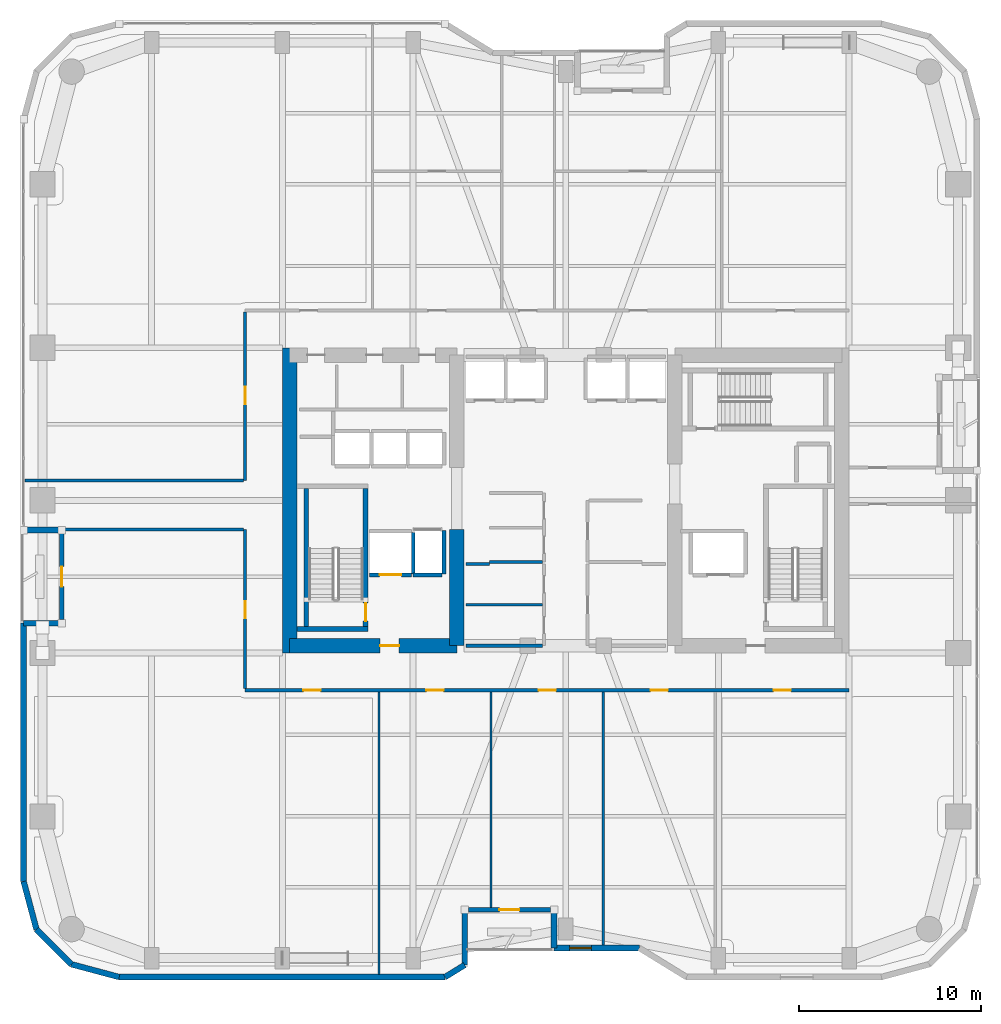
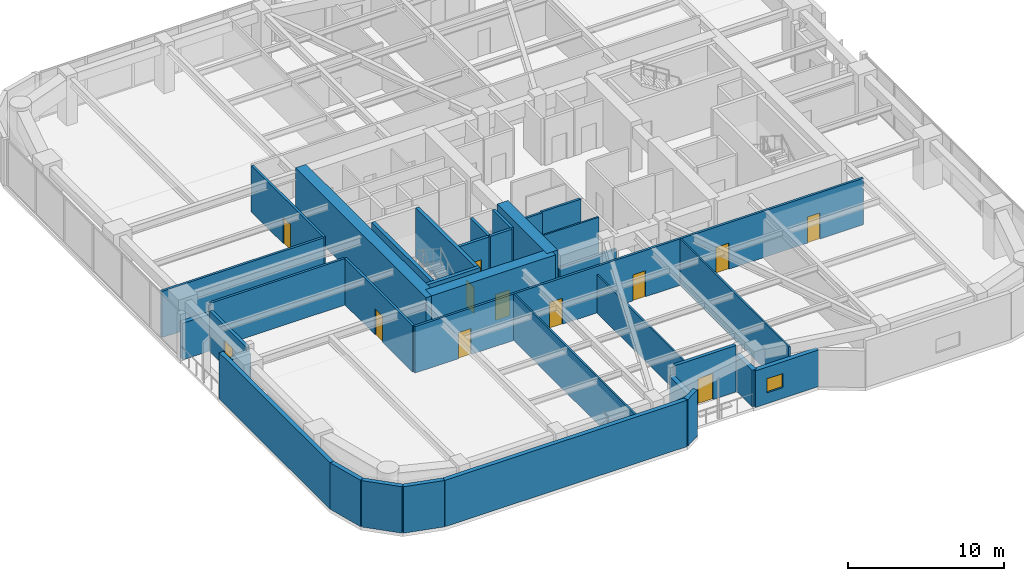
# One storey, part 18 of 24: 35 walls, 12 doors, 1 window, 13 openings.
"""IFC4 building model written with IfcOpenShell, lengths in metres."""

from ifc_helpers import new_model, si_unit, direction, frame, frame_2d, origin, place, context, subcontext, project, spatial, rectangle, extrude, material, layer, layer_set, type_object, element, fill, save


model = new_model("IFC4")

# Units and contexts
model_context = context("Model", 3, precision=1e-05, world=origin(), true_north=direction((0.0, 1.0)))
body_context = subcontext(model_context, "Body", "Model", "MODEL_VIEW")
ifc_project = project(units=[si_unit("LENGTHUNIT", "METRE"), si_unit("AREAUNIT", "SQUARE_METRE"), si_unit("VOLUMEUNIT", "CUBIC_METRE"), si_unit("PLANEANGLEUNIT", "RADIAN"), si_unit("MASSUNIT", "GRAM", prefix="KILO")], contexts=[model_context])

# Site, building, storey
site_placement = place(None, origin())
site = spatial("IfcSite", under=ifc_project, at=site_placement, CompositionType="ELEMENT")
building_placement = place(site_placement, origin())
building = spatial("IfcBuilding", under=site, at=building_placement, Name="Kiyonajd Concourse Tower", CompositionType="ELEMENT")
storey_placement = place(building_placement, frame((0.0, 0.0, 137.699951171875)))
storey = spatial("IfcBuildingStorey", under=building, at=storey_placement, Name="L35", CompositionType="ELEMENT", Elevation=137.699951171875)

# Walls
ifc_material_1 = material(Name="Concrete C70/85", Category="concrete")
ifc_layer_1 = layer(ifc_material_1, 0.800048828125)
ifc_layer_set_1 = layer_set([ifc_layer_1], Name="Concrete C70/85")
wall_type_1 = type_object("IfcWallType", Name="WL-CORE-800", PredefinedType="SHEAR", material=ifc_layer_set_1)
wall_1_placement = place(storey_placement, frame((32.800048828125, 27.60009765625, 0.0), z_axis=(0.0, 0.0, 1.0), x_axis=(0.0, 1.0, 0.0)))
element("IfcWall", 1, at=wall_1_placement, inside=storey, type_object=wall_type_1, Name="L35 West Core Outer Shear Wall", PredefinedType="SHEAR", context=body_context, shape_type="SweptSolid", body=[
    extrude(rectangle(XDim=16.7998046875, YDim=0.800048828125, at=frame_2d((8.39990234375, 0.0))), origin(), (0.0, 0.0, 1.0), 3.900146484375),
])
wall_2_placement = place(storey_placement, frame((42.0, 28.0, 0.0), z_axis=(0.0, 0.0, 1.0), x_axis=(0.0, 1.0, 0.0)))
element("IfcWall", 2, at=wall_2_placement, inside=storey, type_object=wall_type_1, Name="L35 West Core Inner South Shear Wall", PredefinedType="SHEAR", context=body_context, shape_type="SweptSolid", body=[
    extrude(rectangle(XDim=6.39990234375, YDim=0.800048828125, at=frame_2d((3.199951171875, 0.0))), origin(), (0.0, 0.0, 1.0), 3.900146484375),
])

# Wall, opening, door
wall_3_placement = place(storey_placement, frame((32.800048828125, 28.0, 0.0), z_axis=(0.0, 0.0, 1.0), x_axis=(1.0, 0.0, 0.0)))
wall_3 = element("IfcWall", 3, at=wall_3_placement, inside=storey, type_object=wall_type_1, Name="L35 West Core South Shear Wall", PredefinedType="SHEAR", context=body_context, shape_type="SweptSolid", body=[
    extrude(rectangle(XDim=9.199951171875, YDim=0.800048828125, at=frame_2d((4.60009765625, 0.0))), origin(), (0.0, 0.0, 1.0), 3.900146484375),
])
opening_1_placement = place(wall_3_placement, frame((4.97509765625, 0.0, 0.0)))
opening_1 = element("IfcOpeningElement", 4, at=opening_1_placement, cuts=wall_3, Name="Opening DF5", PredefinedType="OPENING", context=body_context, shape_type="SweptSolid", body=[
    extrude(rectangle(XDim=1.050048828125, YDim=2.0400390625, at=frame_2d((0.52490234375, 1.02001953125))), frame((0.0, 0.409912109375, 0.0), z_axis=(0.0, -1.0, 0.0), x_axis=(1.0, 0.0, 0.0)), (0.0, 0.0, 1.0), 0.820068359375),
])
ifc_material_2 = material(Name="Brushed Stainless Steel Cab Assembly", Category="steel")
door_type_1 = type_object("IfcDoorType", Name="DR-FD45-1050", OperationType="NOTDEFINED", PredefinedType="DOOR", material=ifc_material_2)
door_1_placement = place(opening_1_placement, origin())
door_1 = element("IfcDoor", 5, at=door_1_placement, inside=storey, type_object=door_type_1, Name="L35 Firefighting Lift Lobby W Smoke Door", OperationType="SINGLE_SWING_LEFT", OverallHeight=2.0400390625, OverallWidth=1.050048828125, PredefinedType="DOOR", context=body_context, shape_type="SweptSolid", body=[
    extrude(rectangle(XDim=1.050048828125, YDim=2.0400390625, at=frame_2d((0.52490234375, 1.02001953125))), frame((0.0, 0.02490234375, 0.0), z_axis=(0.0, -1.0, 0.0), x_axis=(1.0, 0.0, 0.0)), (0.0, 0.0, 1.0), 0.050048828125),
])
fill(opening_1, door_1)

# Walls
ifc_material_3 = material(Name="Precast concrete C50/60", Category="concrete")
ifc_layer_2 = layer(ifc_material_3, 0.320068359375)
ifc_layer_set_2 = layer_set([ifc_layer_2], Name="Precast concrete C50/60")
wall_type_2 = type_object("IfcWallType", Name="WL-EXT-320", PredefinedType="SOLIDWALL", material=ifc_layer_set_2)
wall_4_placement = place(storey_placement, frame((18.866455078125, 12.3828125, 0.0), z_axis=(0.0, 0.0, 1.0), x_axis=(-0.25869736047, 0.965958423373, 0.0)))
element("IfcWall", 6, at=wall_4_placement, inside=storey, type_object=wall_type_2, Name="L35 Exterior Concrete Frame Wall 00", PredefinedType="SOLIDWALL", context=body_context, shape_type="SweptSolid", body=[
    extrude(rectangle(XDim=2.731201171875, YDim=0.320068359375, at=frame_2d((1.36572265625, 0.0))), origin(), (0.0, 0.0, 1.0), 3.64013671875),
])
wall_5_placement = place(storey_placement, frame((18.159912109375, 15.02099609375, 0.0), z_axis=(0.0, 0.0, 1.0), x_axis=(0.0, 1.0, 0.0)))
element("IfcWall", 7, at=wall_5_placement, inside=storey, type_object=wall_type_2, Name="L35 Exterior Concrete Frame Wall 01", PredefinedType="SOLIDWALL", context=body_context, shape_type="SweptSolid", body=[
    extrude(rectangle(XDim=14.218994140625, YDim=0.320068359375, at=frame_2d((7.109375, 0.0))), origin(), (0.0, 0.0, 1.0), 3.64013671875),
])
for number, where, z_axis, x_axis, name in (
    (8, (18.159912109375, 29.239990234375, 0.0), (0.0, 0.0, 1.0), (1.0, 0.0, 0.0), "L35 Exterior Concrete Frame Wall 02"),
    (9, (20.260009765625, 34.360107421875, 0.0), (0.0, 0.0, 1.0), (-1.0, 0.0, 0.0), "L35 Exterior Concrete Frame Wall 04"),
):
    element("IfcWall", number, at=place(storey_placement, frame(where, z_axis=z_axis, x_axis=x_axis)), inside=storey, type_object=wall_type_2, Name=name, PredefinedType="SOLIDWALL", context=body_context, shape_type="SweptSolid", body=[
        extrude(rectangle(XDim=2.10009765625, YDim=0.320068359375, at=frame_2d((1.050048828125, 0.0))), origin(), (0.0, 0.0, 1.0), 2.875),
    ])

# Wall, opening, window
wall_6_placement = place(storey_placement, frame((52.04541015625, 11.360107421875, 0.0), z_axis=(0.0, 0.0, 1.0), x_axis=(-1.0, 0.0, 0.0)))
wall_6 = element("IfcWall", 10, at=wall_6_placement, inside=storey, type_object=wall_type_2, Name="L35 Exterior Concrete Frame Wall 30", PredefinedType="SOLIDWALL", context=body_context, shape_type="SweptSolid", body=[
    extrude(rectangle(XDim=4.685302734375, YDim=0.320068359375, at=frame_2d((2.3427734375, 0.0))), origin(), (0.0, 0.0, 1.0), 2.875),
])
opening_2_placement = place(wall_6_placement, frame((2.639892578125, 0.0, 0.85009765625)))
opening_2 = element("IfcOpeningElement", 11, at=opening_2_placement, cuts=wall_6, Name="Opening WN3", PredefinedType="OPENING", context=body_context, shape_type="SweptSolid", body=[
    extrude(rectangle(XDim=1.199951171875, YDim=1.10009765625, at=frame_2d((0.60009765625, 0.550048828125))), frame((0.0, 0.169921875, 0.0), z_axis=(0.0, -1.0, 0.0), x_axis=(1.0, 0.0, 0.0)), (0.0, 0.0, 1.0), 0.340087890625),
])
ifc_material_4 = material(Name="Double Low-E Insulated Glass", Category="glass")
window_type = type_object("IfcWindowType", Name="WN-VIS-1200x1100", PartitioningType="SINGLE_PANEL", PredefinedType="WINDOW", material=ifc_material_4)
window_placement = place(opening_2_placement, origin())
window = element("IfcWindow", 12, at=window_placement, inside=storey, type_object=window_type, Name="L35 Modular Facade Vision Window 30", OverallHeight=1.10009765625, OverallWidth=1.199951171875, PartitioningType="SINGLE_PANEL", PredefinedType="WINDOW", context=body_context, shape_type="SweptSolid", body=[
    extrude(rectangle(XDim=1.199951171875, YDim=1.10009765625, at=frame_2d((0.60009765625, 0.550048828125))), frame((0.0, 0.030029296875, 0.0), z_axis=(0.0, -1.0, 0.0), x_axis=(1.0, 0.0, 0.0)), (0.0, 0.0, 1.0), 0.06005859375),
])
fill(opening_2, window)

# Walls
wall_7_placement = place(storey_placement, frame((47.360107421875, 11.360107421875, 0.0), z_axis=(0.0, 0.0, 1.0), x_axis=(0.0, 1.0, 0.0)))
element("IfcWall", 13, at=wall_7_placement, inside=storey, type_object=wall_type_2, Name="L35 Exterior Concrete Frame Wall 31", PredefinedType="SOLIDWALL", context=body_context, shape_type="SweptSolid", body=[
    extrude(rectangle(XDim=2.099853515625, YDim=0.320068359375, at=frame_2d((1.0498046875, 0.0))), origin(), (0.0, 0.0, 1.0), 2.875),
])
wall_8_placement = place(storey_placement, frame((42.43994140625, 13.4599609375, 0.0), z_axis=(0.0, 0.0, 1.0), x_axis=(0.0, -1.0, 0.0)))
element("IfcWall", 14, at=wall_8_placement, inside=storey, type_object=wall_type_2, Name="L35 Exterior Concrete Frame Wall 33", PredefinedType="SOLIDWALL", context=body_context, shape_type="SweptSolid", body=[
    extrude(rectangle(XDim=3.032470703125, YDim=0.320068359375, at=frame_2d((1.51611328125, 0.0))), origin(), (0.0, 0.0, 1.0), 2.875),
])
wall_9_placement = place(storey_placement, frame((42.43994140625, 10.427490234375, 0.0), z_axis=(0.0, 0.0, 1.0), x_axis=(-0.851776724646, -0.523904964045, 0.0)))
element("IfcWall", 15, at=wall_9_placement, inside=storey, type_object=wall_type_2, Name="L35 Exterior Concrete Frame Wall 34", PredefinedType="SOLIDWALL", context=body_context, shape_type="SweptSolid", body=[
    extrude(rectangle(XDim=1.274169921875, YDim=0.320068359375, at=frame_2d((0.63720703125, 0.0))), origin(), (0.0, 0.0, 1.0), 3.64013671875),
])
wall_10_placement = place(storey_placement, frame((41.354736328125, 9.760009765625, 0.0), z_axis=(0.0, 0.0, 1.0), x_axis=(-1.0, 0.0, 0.0)))
element("IfcWall", 16, at=wall_10_placement, inside=storey, type_object=wall_type_2, Name="L35 Exterior Concrete Frame Wall 35", PredefinedType="SOLIDWALL", context=body_context, shape_type="SweptSolid", body=[
    extrude(rectangle(XDim=17.93359375, YDim=0.320068359375, at=frame_2d((8.966796875, 0.0))), origin(), (0.0, 0.0, 1.0), 3.64013671875),
])
wall_11_placement = place(storey_placement, frame((23.421142578125, 9.760009765625, 0.0), z_axis=(0.0, 0.0, 1.0), x_axis=(-0.965964405026, 0.25867502435, 0.0)))
element("IfcWall", 17, at=wall_11_placement, inside=storey, type_object=wall_type_2, Name="L35 Exterior Concrete Frame Wall 36", PredefinedType="SOLIDWALL", context=body_context, shape_type="SweptSolid", body=[
    extrude(rectangle(XDim=2.7314453125, YDim=0.320068359375, at=frame_2d((1.36572265625, 0.0))), origin(), (0.0, 0.0, 1.0), 3.64013671875),
])
wall_12_placement = place(storey_placement, frame((20.78271484375, 10.466552734375, 0.0), z_axis=(0.0, 0.0, 1.0), x_axis=(-0.707106781187, 0.707106781187, 0.0)))
element("IfcWall", 18, at=wall_12_placement, inside=storey, type_object=wall_type_2, Name="L35 Exterior Concrete Frame Wall 37", PredefinedType="SOLIDWALL", context=body_context, shape_type="SweptSolid", body=[
    extrude(rectangle(XDim=2.7099609375, YDim=0.320068359375, at=frame_2d((1.35498046875, 0.0))), origin(), (0.0, 0.0, 1.0), 3.64013671875),
])

# Wall, opening, door
ifc_layer_3 = layer(ifc_material_3, 0.239990234375)
ifc_layer_set_3 = layer_set([ifc_layer_3], Name="Precast concrete C50/60")
wall_type_3 = type_object("IfcWallType", Name="WL-LOG-240", PredefinedType="SOLIDWALL", material=ifc_layer_set_3)
wall_13_placement = place(storey_placement, frame((20.260009765625, 29.43505859375, 0.0), z_axis=(0.0, 0.0, 1.0), x_axis=(0.0, 1.0, 0.0)))
wall_13 = element("IfcWall", 19, at=wall_13_placement, inside=storey, type_object=wall_type_3, Name="L35 Recessed Loggia Thermal Wall LOG-W", PredefinedType="SOLIDWALL", context=body_context, shape_type="SweptSolid", body=[
    extrude(rectangle(XDim=4.72998046875, YDim=0.239990234375, at=frame_2d((2.364990234375, 0.0))), origin(), (0.0, 0.0, 1.0), 3.162109375),
])
opening_3_placement = place(wall_13_placement, frame((1.81494140625, 0.0, 0.0)))
opening_3 = element("IfcOpeningElement", 20, at=opening_3_placement, cuts=wall_13, Name="Opening DL2", PredefinedType="OPENING", context=body_context, shape_type="SweptSolid", body=[
    extrude(rectangle(XDim=1.10009765625, YDim=2.0400390625, at=frame_2d((0.550048828125, 1.02001953125))), frame((0.0, 0.1298828125, 0.0), z_axis=(0.0, -1.0, 0.0), x_axis=(1.0, 0.0, 0.0)), (0.0, 0.0, 1.0), 0.260009765625),
])
ifc_material_5 = material(Name="Thermally Broken Anodised Aluminium", Category="aluminium")
door_type_2 = type_object("IfcDoorType", Name="DR-LOG-1100", OperationType="NOTDEFINED", PredefinedType="DOOR", material=ifc_material_5)
door_2_placement = place(opening_3_placement, origin())
door_2 = element("IfcDoor", 21, at=door_2_placement, inside=storey, type_object=door_type_2, Name="L35 Engawa Loggia Access Door LOG-W", OperationType="SINGLE_SWING_LEFT", OverallHeight=2.0400390625, OverallWidth=1.10009765625, PredefinedType="DOOR", context=body_context, shape_type="SweptSolid", body=[
    extrude(rectangle(XDim=1.10009765625, YDim=2.0400390625, at=frame_2d((0.550048828125, 1.02001953125))), frame((0.0, 0.02490234375, 0.0), z_axis=(0.0, -1.0, 0.0), x_axis=(1.0, 0.0, 0.0)), (0.0, 0.0, 1.0), 0.050048828125),
])
fill(opening_3, door_2)

wall_14_placement = place(storey_placement, frame((47.1650390625, 13.4599609375, 0.0), z_axis=(0.0, 0.0, 1.0), x_axis=(-1.0, 0.0, 0.0)))
wall_14 = element("IfcWall", 22, at=wall_14_placement, inside=storey, type_object=wall_type_3, Name="L35 Recessed Loggia Thermal Wall LOG-S", PredefinedType="SOLIDWALL", context=body_context, shape_type="SweptSolid", body=[
    extrude(rectangle(XDim=4.530029296875, YDim=0.239990234375, at=frame_2d((2.26513671875, 0.0))), origin(), (0.0, 0.0, 1.0), 3.64013671875),
])
opening_4_placement = place(wall_14_placement, frame((1.715087890625, 0.0, 0.0)))
opening_4 = element("IfcOpeningElement", 23, at=opening_4_placement, cuts=wall_14, Name="Opening DL2", PredefinedType="OPENING", context=body_context, shape_type="SweptSolid", body=[
    extrude(rectangle(XDim=1.10009765625, YDim=2.0400390625, at=frame_2d((0.550048828125, 1.02001953125))), frame((0.0, 0.1298828125, 0.0), z_axis=(0.0, -1.0, 0.0), x_axis=(1.0, 0.0, 0.0)), (0.0, 0.0, 1.0), 0.260009765625),
])
door_3_placement = place(opening_4_placement, origin())
door_3 = element("IfcDoor", 24, at=door_3_placement, inside=storey, type_object=door_type_2, Name="L35 Engawa Loggia Access Door LOG-S", OperationType="SINGLE_SWING_RIGHT", OverallHeight=2.0400390625, OverallWidth=1.10009765625, PredefinedType="DOOR", context=body_context, shape_type="SweptSolid", body=[
    extrude(rectangle(XDim=1.10009765625, YDim=2.0400390625, at=frame_2d((0.550048828125, 1.02001953125))), frame((0.0, 0.02490234375, 0.0), z_axis=(0.0, -1.0, 0.0), x_axis=(1.0, 0.0, 0.0)), (0.0, 0.0, 1.0), 0.050048828125),
])
fill(opening_4, door_3)

# Walls
ifc_material_6 = material(Name="Gypsum Board on Cold-Formed Steel Stud", Category="steel")
ifc_layer_4 = layer(ifc_material_6, 0.125)
ifc_layer_set_4 = layer_set([ifc_layer_4], Name="Gypsum Board on Cold-Formed Steel Stud")
wall_type_4 = type_object("IfcWallType", Name="WL-PART-125", PredefinedType="PARTITIONING", material=ifc_layer_set_4)
wall_15_placement = place(storey_placement, frame((42.5, 30.25, 0.0), z_axis=(0.0, 0.0, 1.0), x_axis=(1.0, 0.0, 0.0)))
element("IfcWall", 25, at=wall_15_placement, inside=storey, type_object=wall_type_4, Name="L35 Interior Partition Wall", PredefinedType="PARTITIONING", context=body_context, shape_type="SweptSolid", body=[
    extrude(rectangle(XDim=4.212890625, YDim=0.125, at=frame_2d((2.1064453125, 0.0))), origin(), (0.0, 0.0, 1.0), 3.64013671875),
])
wall_16_placement = place(storey_placement, frame((37.719970703125, 9.9150390625, 0.0), z_axis=(0.0, 0.0, 1.0), x_axis=(0.0, 1.0, 0.0)))
element("IfcWall", 26, at=wall_16_placement, inside=storey, type_object=wall_type_4, Name="L35 Interior Partition Wall", PredefinedType="PARTITIONING", context=body_context, shape_type="SweptSolid", body=[
    extrude(rectangle(XDim=15.5478515625, YDim=0.125, at=frame_2d((7.77392578125, 0.0))), origin(), (0.0, 0.0, 1.0), 3.64013671875),
])
wall_17_placement = place(storey_placement, frame((43.889892578125, 13.574951171875, 0.0), z_axis=(0.0, 0.0, 1.0), x_axis=(0.0, 1.0, 0.0)))
element("IfcWall", 27, at=wall_17_placement, inside=storey, type_object=wall_type_4, Name="L35 Interior Partition Wall", PredefinedType="PARTITIONING", context=body_context, shape_type="SweptSolid", body=[
    extrude(rectangle(XDim=11.887939453125, YDim=0.125, at=frame_2d((5.94384765625, 0.0))), origin(), (0.0, 0.0, 1.0), 3.0029296875),
])
wall_18_placement = place(storey_placement, frame((50.06005859375, 11.514892578125, 0.0), z_axis=(0.0, 0.0, 1.0), x_axis=(0.0, 1.0, 0.0)))
element("IfcWall", 28, at=wall_18_placement, inside=storey, type_object=wall_type_4, Name="L35 Interior Partition Wall", PredefinedType="PARTITIONING", context=body_context, shape_type="SweptSolid", body=[
    extrude(rectangle(XDim=13.947998046875, YDim=0.125, at=frame_2d((6.97412109375, 0.0))), origin(), (0.0, 0.0, 1.0), 3.64013671875),
])

# Wall, opening, door
ifc_layer_5 = layer(ifc_material_6, 0.2099609375)
ifc_layer_set_5 = layer_set([ifc_layer_5], Name="Gypsum Board on Cold-Formed Steel Stud")
wall_type_5 = type_object("IfcWallType", Name="WL-SHAFT-210", PredefinedType="PARTITIONING", material=ifc_layer_set_5)
wall_19_placement = place(storey_placement, frame((37.199951171875, 31.89990234375, 0.0), z_axis=(0.0, 0.0, 1.0), x_axis=(1.0, 0.0, 0.0)))
wall_19 = element("IfcWall", 29, at=wall_19_placement, inside=storey, type_object=wall_type_5, Name="L35 Shaft Enclosure Wall", PredefinedType="PARTITIONING", context=body_context, shape_type="SweptSolid", body=[
    extrude(rectangle(XDim=2.300048828125, YDim=0.2099609375, at=frame_2d((1.14990234375, 0.0))), origin(), (0.0, 0.0, 1.0), 3.64013671875),
])
opening_5_placement = place(wall_19_placement, frame((0.550048828125, 0.0, 0.0)))
opening_5 = element("IfcOpeningElement", 30, at=opening_5_placement, cuts=wall_19, Name="Opening LD2", PredefinedType="OPENING", context=body_context, shape_type="SweptSolid", body=[
    extrude(rectangle(XDim=1.199951171875, YDim=2.0400390625, at=frame_2d((0.60009765625, 1.02001953125))), frame((0.0, 0.114990234375, 0.0), z_axis=(0.0, -1.0, 0.0), x_axis=(1.0, 0.0, 0.0)), (0.0, 0.0, 1.0), 0.22998046875),
])
door_type_3 = type_object("IfcDoorType", Name="DR-LD-1200", OperationType="DOUBLE_DOOR_SLIDING", PredefinedType="DOOR", material=ifc_material_2)
door_4_placement = place(opening_5_placement, origin())
door_4 = element("IfcDoor", 31, at=door_4_placement, inside=storey, type_object=door_type_3, Name="L35 Lift FFL1 Sliding Landing Door", OperationType="DOUBLE_DOOR_SLIDING", OverallHeight=2.0400390625, OverallWidth=1.199951171875, PredefinedType="DOOR", context=body_context, shape_type="SweptSolid", body=[
    extrude(rectangle(XDim=1.199951171875, YDim=2.0400390625, at=frame_2d((0.60009765625, 1.02001953125))), frame((0.0, 0.02490234375, 0.0), z_axis=(0.0, -1.0, 0.0), x_axis=(1.0, 0.0, 0.0)), (0.0, 0.0, 1.0), 0.050048828125),
])
fill(opening_5, door_4)

# Walls
wall_20_placement = place(storey_placement, frame((39.60009765625, 31.9599609375, 0.0), z_axis=(0.0, 0.0, 1.0), x_axis=(0.0, 1.0, 0.0)))
element("IfcWall", 32, at=wall_20_placement, inside=storey, type_object=wall_type_5, Name="L35 Shaft Enclosure Wall", PredefinedType="PARTITIONING", context=body_context, shape_type="SweptSolid", body=[
    extrude(rectangle(XDim=2.280029296875, YDim=0.2099609375, at=frame_2d((1.14013671875, 0.0))), origin(), (0.0, 0.0, 1.0), 3.64013671875),
])
wall_21_placement = place(storey_placement, frame((39.60009765625, 31.89990234375, 0.0), z_axis=(0.0, 0.0, 1.0), x_axis=(1.0, 0.0, 0.0)))
element("IfcWall", 33, at=wall_21_placement, inside=storey, type_object=wall_type_5, Name="L35 Shaft Enclosure Wall", PredefinedType="PARTITIONING", context=body_context, shape_type="SweptSolid", body=[
    extrude(rectangle(XDim=1.599853515625, YDim=0.2099609375, at=frame_2d((0.7998046875, 0.0))), origin(), (0.0, 0.0, 1.0), 3.64013671875),
])
wall_22_placement = place(storey_placement, frame((41.300048828125, 31.9599609375, 0.0), z_axis=(0.0, 0.0, 1.0), x_axis=(0.0, 1.0, 0.0)))
element("IfcWall", 34, at=wall_22_placement, inside=storey, type_object=wall_type_5, Name="L35 Shaft Enclosure Wall", PredefinedType="PARTITIONING", context=body_context, shape_type="SweptSolid", body=[
    extrude(rectangle(XDim=2.380126953125, YDim=0.2099609375, at=frame_2d((1.18994140625, 0.0))), origin(), (0.0, 0.0, 1.0), 3.64013671875),
])
ifc_layer_6 = layer(ifc_material_6, 0.169921875)
ifc_layer_set_6 = layer_set([ifc_layer_6], Name="Gypsum Board on Cold-Formed Steel Stud")
wall_type_6 = type_object("IfcWallType", Name="WL-SMK-170", PredefinedType="PARTITIONING", material=ifc_layer_set_6)
wall_23_placement = place(storey_placement, frame((43.800048828125, 32.60009765625, 0.0), z_axis=(0.0, 0.0, 1.0), x_axis=(1.0, 0.0, 0.0)))
element("IfcWall", 35, at=wall_23_placement, inside=storey, type_object=wall_type_6, Name="L35 Interior Partition Wall", PredefinedType="PARTITIONING", context=body_context, shape_type="SweptSolid", body=[
    extrude(rectangle(XDim=2.912841796875, YDim=0.169921875, at=frame_2d((1.45654296875, 0.0))), origin(), (0.0, 0.0, 1.0), 3.64013671875),
])
wall_24_placement = place(storey_placement, frame((42.5, 28.0, 0.0), z_axis=(0.0, 0.0, 1.0), x_axis=(1.0, 0.0, 0.0)))
element("IfcWall", 36, at=wall_24_placement, inside=storey, type_object=wall_type_6, Name="L35 Interior Partition Wall", PredefinedType="PARTITIONING", context=body_context, shape_type="SweptSolid", body=[
    extrude(rectangle(XDim=4.212890625, YDim=0.169921875, at=frame_2d((2.1064453125, 0.0))), origin(), (0.0, 0.0, 1.0), 2.525146484375),
])
wall_25_placement = place(storey_placement, frame((42.5, 32.5, 0.0), z_axis=(0.0, 0.0, 1.0), x_axis=(1.0, 0.0, 0.0)))
element("IfcWall", 37, at=wall_25_placement, inside=storey, type_object=wall_type_6, Name="L35 Interior Partition Wall", PredefinedType="PARTITIONING", context=body_context, shape_type="SweptSolid", body=[
    extrude(rectangle(XDim=1.300048828125, YDim=0.169921875, at=frame_2d((0.64990234375, 0.0))), origin(), (0.0, 0.0, 1.0), 3.64013671875),
])

# Wall, openings, doors
wall_26_placement = place(storey_placement, frame((30.35009765625, 25.550048828125, 0.0), z_axis=(0.0, 0.0, 1.0), x_axis=(1.0, 0.0, 0.0)))
wall_26 = element("IfcWall", 38, at=wall_26_placement, inside=storey, type_object=wall_type_6, Name="L35 Interior Partition Wall", PredefinedType="PARTITIONING", context=body_context, shape_type="SweptSolid", body=[
    extrude(rectangle(XDim=33.25, YDim=0.169921875, at=frame_2d((16.625, 0.0))), origin(), (0.0, 0.0, 1.0), 3.64013671875),
])
opening_6_placement = place(wall_26_placement, frame((3.2099609375, 0.0, 0.0)))
opening_6 = element("IfcOpeningElement", 39, at=opening_6_placement, cuts=wall_26, Name="Opening DI1", PredefinedType="OPENING", context=body_context, shape_type="SweptSolid", body=[
    extrude(rectangle(XDim=0.949951171875, YDim=2.0400390625, at=frame_2d((0.47509765625, 1.02001953125))), frame((0.0, 0.094970703125, 0.0), z_axis=(0.0, -1.0, 0.0), x_axis=(1.0, 0.0, 0.0)), (0.0, 0.0, 1.0), 0.18994140625),
])
opening_7_placement = place(wall_26_placement, frame((9.97998046875, 0.0, 0.0)))
opening_7 = element("IfcOpeningElement", 40, at=opening_7_placement, cuts=wall_26, Name="Opening DI1", PredefinedType="OPENING", context=body_context, shape_type="SweptSolid", body=[
    extrude(rectangle(XDim=0.949951171875, YDim=2.0400390625, at=frame_2d((0.47509765625, 1.02001953125))), frame((0.0, 0.094970703125, 0.0), z_axis=(0.0, -1.0, 0.0), x_axis=(1.0, 0.0, 0.0)), (0.0, 0.0, 1.0), 0.18994140625),
])
opening_8_placement = place(wall_26_placement, frame((16.14990234375, 0.0, 0.0)))
opening_8 = element("IfcOpeningElement", 41, at=opening_8_placement, cuts=wall_26, Name="Opening DI1", PredefinedType="OPENING", context=body_context, shape_type="SweptSolid", body=[
    extrude(rectangle(XDim=0.949951171875, YDim=2.0400390625, at=frame_2d((0.47509765625, 1.02001953125))), frame((0.0, 0.094970703125, 0.0), z_axis=(0.0, -1.0, 0.0), x_axis=(1.0, 0.0, 0.0)), (0.0, 0.0, 1.0), 0.18994140625),
])
opening_9_placement = place(wall_26_placement, frame((22.320068359375, 0.0, 0.0)))
opening_9 = element("IfcOpeningElement", 42, at=opening_9_placement, cuts=wall_26, Name="Opening DI1", PredefinedType="OPENING", context=body_context, shape_type="SweptSolid", body=[
    extrude(rectangle(XDim=0.949951171875, YDim=2.0400390625, at=frame_2d((0.47509765625, 1.02001953125))), frame((0.0, 0.094970703125, 0.0), z_axis=(0.0, -1.0, 0.0), x_axis=(1.0, 0.0, 0.0)), (0.0, 0.0, 1.0), 0.18994140625),
])
opening_10_placement = place(wall_26_placement, frame((29.090087890625, 0.0, 0.0)))
opening_10 = element("IfcOpeningElement", 43, at=opening_10_placement, cuts=wall_26, Name="Opening DI1", PredefinedType="OPENING", context=body_context, shape_type="SweptSolid", body=[
    extrude(rectangle(XDim=0.949951171875, YDim=2.0400390625, at=frame_2d((0.47509765625, 1.02001953125))), frame((0.0, 0.094970703125, 0.0), z_axis=(0.0, -1.0, 0.0), x_axis=(1.0, 0.0, 0.0)), (0.0, 0.0, 1.0), 0.18994140625),
])
ifc_material_7 = material(Name="Natural Oak Acoustic Timber Veneer", Category="wood")
door_type_4 = type_object("IfcDoorType", Name="DR-INT-950", OperationType="NOTDEFINED", PredefinedType="DOOR", material=ifc_material_7)
door_5_placement = place(opening_6_placement, origin())
door_5 = element("IfcDoor", 44, at=door_5_placement, inside=storey, type_object=door_type_4, Name="L35 Interior Door", OperationType="SINGLE_SWING_RIGHT", OverallHeight=2.0400390625, OverallWidth=0.949951171875, PredefinedType="DOOR", context=body_context, shape_type="SweptSolid", body=[
    extrude(rectangle(XDim=0.949951171875, YDim=2.0400390625, at=frame_2d((0.47509765625, 1.02001953125))), frame((0.0, 0.02490234375, 0.0), z_axis=(0.0, -1.0, 0.0), x_axis=(1.0, 0.0, 0.0)), (0.0, 0.0, 1.0), 0.050048828125),
])
fill(opening_6, door_5)
door_6_placement = place(opening_7_placement, origin())
door_6 = element("IfcDoor", 45, at=door_6_placement, inside=storey, type_object=door_type_4, Name="L35 Interior Door", OperationType="SINGLE_SWING_LEFT", OverallHeight=2.0400390625, OverallWidth=0.949951171875, PredefinedType="DOOR", context=body_context, shape_type="SweptSolid", body=[
    extrude(rectangle(XDim=0.949951171875, YDim=2.0400390625, at=frame_2d((0.47509765625, 1.02001953125))), frame((0.0, 0.02490234375, 0.0), z_axis=(0.0, -1.0, 0.0), x_axis=(1.0, 0.0, 0.0)), (0.0, 0.0, 1.0), 0.050048828125),
])
fill(opening_7, door_6)
door_7_placement = place(opening_8_placement, origin())
door_7 = element("IfcDoor", 46, at=door_7_placement, inside=storey, type_object=door_type_4, Name="L35 Interior Door", OperationType="SINGLE_SWING_RIGHT", OverallHeight=2.0400390625, OverallWidth=0.949951171875, PredefinedType="DOOR", context=body_context, shape_type="SweptSolid", body=[
    extrude(rectangle(XDim=0.949951171875, YDim=2.0400390625, at=frame_2d((0.47509765625, 1.02001953125))), frame((0.0, 0.02490234375, 0.0), z_axis=(0.0, -1.0, 0.0), x_axis=(1.0, 0.0, 0.0)), (0.0, 0.0, 1.0), 0.050048828125),
])
fill(opening_8, door_7)
door_8_placement = place(opening_9_placement, origin())
door_8 = element("IfcDoor", 47, at=door_8_placement, inside=storey, type_object=door_type_4, Name="L35 Interior Door", OperationType="SINGLE_SWING_LEFT", OverallHeight=2.0400390625, OverallWidth=0.949951171875, PredefinedType="DOOR", context=body_context, shape_type="SweptSolid", body=[
    extrude(rectangle(XDim=0.949951171875, YDim=2.0400390625, at=frame_2d((0.47509765625, 1.02001953125))), frame((0.0, 0.02490234375, 0.0), z_axis=(0.0, -1.0, 0.0), x_axis=(1.0, 0.0, 0.0)), (0.0, 0.0, 1.0), 0.050048828125),
])
fill(opening_9, door_8)
door_9_placement = place(opening_10_placement, origin())
door_9 = element("IfcDoor", 48, at=door_9_placement, inside=storey, type_object=door_type_4, Name="L35 Interior Door", OperationType="SINGLE_SWING_RIGHT", OverallHeight=2.0400390625, OverallWidth=0.949951171875, PredefinedType="DOOR", context=body_context, shape_type="SweptSolid", body=[
    extrude(rectangle(XDim=0.949951171875, YDim=2.0400390625, at=frame_2d((0.47509765625, 1.02001953125))), frame((0.0, 0.02490234375, 0.0), z_axis=(0.0, -1.0, 0.0), x_axis=(1.0, 0.0, 0.0)), (0.0, 0.0, 1.0), 0.050048828125),
])
fill(opening_10, door_9)

# Wall, opening, door
wall_27_placement = place(storey_placement, frame((30.35009765625, 25.636962890625, 0.0), z_axis=(0.0, 0.0, 1.0), x_axis=(0.0, 1.0, 0.0)))
wall_27 = element("IfcWall", 49, at=wall_27_placement, inside=storey, type_object=wall_type_6, Name="L35 Interior Partition Wall", PredefinedType="PARTITIONING", context=body_context, shape_type="SweptSolid", body=[
    extrude(rectangle(XDim=8.762939453125, YDim=0.169921875, at=frame_2d((4.38134765625, 0.0))), origin(), (0.0, 0.0, 1.0), 3.64013671875),
])
opening_11_placement = place(wall_27_placement, frame((3.863037109375, 0.0, 0.0)))
opening_11 = element("IfcOpeningElement", 50, at=opening_11_placement, cuts=wall_27, Name="Opening DI1", PredefinedType="OPENING", context=body_context, shape_type="SweptSolid", body=[
    extrude(rectangle(XDim=0.949951171875, YDim=2.0400390625, at=frame_2d((0.47509765625, 1.02001953125))), frame((0.0, 0.094970703125, 0.0), z_axis=(0.0, -1.0, 0.0), x_axis=(1.0, 0.0, 0.0)), (0.0, 0.0, 1.0), 0.18994140625),
])
door_10_placement = place(opening_11_placement, origin())
door_10 = element("IfcDoor", 51, at=door_10_placement, inside=storey, type_object=door_type_4, Name="L35 Interior Door", OperationType="SINGLE_SWING_RIGHT", OverallHeight=2.0400390625, OverallWidth=0.949951171875, PredefinedType="DOOR", context=body_context, shape_type="SweptSolid", body=[
    extrude(rectangle(XDim=0.949951171875, YDim=2.0400390625, at=frame_2d((0.47509765625, 1.02001953125))), frame((0.0, 0.02490234375, 0.0), z_axis=(0.0, -1.0, 0.0), x_axis=(1.0, 0.0, 0.0)), (0.0, 0.0, 1.0), 0.050048828125),
])
fill(opening_11, door_10)

wall_28_placement = place(storey_placement, frame((30.35009765625, 37.10009765625, 0.0), z_axis=(0.0, 0.0, 1.0), x_axis=(0.0, 1.0, 0.0)))
wall_28 = element("IfcWall", 52, at=wall_28_placement, inside=storey, type_object=wall_type_6, Name="L35 Interior Partition Wall", PredefinedType="PARTITIONING", context=body_context, shape_type="SweptSolid", body=[
    extrude(rectangle(XDim=9.262939453125, YDim=0.169921875, at=frame_2d((4.63134765625, 0.0))), origin(), (0.0, 0.0, 1.0), 3.64013671875),
])
opening_12_placement = place(wall_28_placement, frame((4.199951171875, 0.0, 0.0)))
opening_12 = element("IfcOpeningElement", 53, at=opening_12_placement, cuts=wall_28, Name="Opening DI1", PredefinedType="OPENING", context=body_context, shape_type="SweptSolid", body=[
    extrude(rectangle(XDim=0.949951171875, YDim=2.0400390625, at=frame_2d((0.47509765625, 1.02001953125))), frame((0.0, 0.094970703125, 0.0), z_axis=(0.0, -1.0, 0.0), x_axis=(1.0, 0.0, 0.0)), (0.0, 0.0, 1.0), 0.18994140625),
])
door_11_placement = place(opening_12_placement, origin())
door_11 = element("IfcDoor", 54, at=door_11_placement, inside=storey, type_object=door_type_4, Name="L35 Interior Door", OperationType="SINGLE_SWING_LEFT", OverallHeight=2.0400390625, OverallWidth=0.949951171875, PredefinedType="DOOR", context=body_context, shape_type="SweptSolid", body=[
    extrude(rectangle(XDim=0.949951171875, YDim=2.0400390625, at=frame_2d((0.47509765625, 1.02001953125))), frame((0.0, 0.02490234375, 0.0), z_axis=(0.0, -1.0, 0.0), x_axis=(1.0, 0.0, 0.0)), (0.0, 0.0, 1.0), 0.050048828125),
])
fill(opening_12, door_11)

# Walls
wall_29_placement = place(storey_placement, frame((20.260009765625, 34.39990234375, 0.0), z_axis=(0.0, 0.0, 1.0), x_axis=(1.0, 0.0, 0.0)))
element("IfcWall", 55, at=wall_29_placement, inside=storey, type_object=wall_type_6, Name="L35 Interior Partition Wall", PredefinedType="PARTITIONING", context=body_context, shape_type="SweptSolid", body=[
    extrude(rectangle(XDim=10.0029296875, YDim=0.169921875, at=frame_2d((5.00146484375, 0.0))), origin(), (0.0, 0.0, 1.0), 3.64013671875),
])
wall_30_placement = place(storey_placement, frame((18.2451171875, 37.10009765625, 0.0), z_axis=(0.0, 0.0, 1.0), x_axis=(1.0, 0.0, 0.0)))
element("IfcWall", 56, at=wall_30_placement, inside=storey, type_object=wall_type_6, Name="L35 Interior Partition Wall", PredefinedType="PARTITIONING", context=body_context, shape_type="SweptSolid", body=[
    extrude(rectangle(XDim=12.017822265625, YDim=0.169921875, at=frame_2d((6.0087890625, 0.0))), origin(), (0.0, 0.0, 1.0), 3.64013671875),
])
ifc_material_8 = material(Name="Concrete C50/60", Category="concrete")
ifc_layer_7 = layer(ifc_material_8, 0.260009765625)
ifc_layer_set_7 = layer_set([ifc_layer_7], Name="Concrete C50/60")
wall_type_7 = type_object("IfcWallType", Name="WL-STAIR-260", PredefinedType="SHEAR", material=ifc_layer_set_7)
wall_31_placement = place(storey_placement, frame((33.199951171875, 28.919921875, 0.0), z_axis=(0.0, 0.0, 1.0), x_axis=(1.0, 0.0, 0.0)))
element("IfcWall", 57, at=wall_31_placement, inside=storey, type_object=wall_type_7, Name="L35 Stair ST1 Structural South Wall", PredefinedType="SHEAR", context=body_context, shape_type="SweptSolid", body=[
    extrude(rectangle(XDim=3.91015625, YDim=0.260009765625, at=frame_2d((1.955078125, 0.0))), origin(), (0.0, 0.0, 1.0), 3.900146484375),
])
wall_32_placement = place(storey_placement, frame((33.719970703125, 29.050048828125, 0.0), z_axis=(0.0, 0.0, 1.0), x_axis=(0.0, 1.0, 0.0)))
element("IfcWall", 58, at=wall_32_placement, inside=storey, type_object=wall_type_7, Name="L35 Stair ST1 Structural West Wall", PredefinedType="SHEAR", context=body_context, shape_type="SweptSolid", body=[
    extrude(rectangle(XDim=7.599853515625, YDim=0.260009765625, at=frame_2d((3.7998046875, 0.0))), origin(), (0.0, 0.0, 1.0), 3.900146484375),
])

# Wall, opening, door
wall_33_placement = place(storey_placement, frame((36.97998046875, 29.050048828125, 0.0), z_axis=(0.0, 0.0, 1.0), x_axis=(0.0, 1.0, 0.0)))
wall_33 = element("IfcWall", 59, at=wall_33_placement, inside=storey, type_object=wall_type_7, Name="L35 Stair ST1 Structural East Wall", PredefinedType="SHEAR", context=body_context, shape_type="SweptSolid", body=[
    extrude(rectangle(XDim=7.599853515625, YDim=0.260009765625, at=frame_2d((3.7998046875, 0.0))), origin(), (0.0, 0.0, 1.0), 3.900146484375),
])
opening_13_placement = place(wall_33_placement, frame((0.300048828125, 0.0, 0.0)))
opening_13 = element("IfcOpeningElement", 60, at=opening_13_placement, cuts=wall_33, Name="Opening DF1", PredefinedType="OPENING", context=body_context, shape_type="SweptSolid", body=[
    extrude(rectangle(XDim=1.0, YDim=2.0400390625, at=frame_2d((0.5, 1.02001953125))), frame((0.0, 0.139892578125, 0.0), z_axis=(0.0, -1.0, 0.0), x_axis=(1.0, 0.0, 0.0)), (0.0, 0.0, 1.0), 0.280029296875),
])
door_type_5 = type_object("IfcDoorType", Name="DR-FD90-1000", OperationType="NOTDEFINED", PredefinedType="DOOR", material=ifc_material_2)
door_12_placement = place(opening_13_placement, origin())
door_12 = element("IfcDoor", 61, at=door_12_placement, inside=storey, type_object=door_type_5, Name="L35 Stair ST1 FSAE Door", OperationType="SINGLE_SWING_LEFT", OverallHeight=2.0400390625, OverallWidth=1.0, PredefinedType="DOOR", context=body_context, shape_type="SweptSolid", body=[
    extrude(rectangle(XDim=1.0, YDim=2.0400390625, at=frame_2d((0.5, 1.02001953125))), frame((0.0, 0.02490234375, 0.0), z_axis=(0.0, -1.0, 0.0), x_axis=(1.0, 0.0, 0.0)), (0.0, 0.0, 1.0), 0.050048828125),
])
fill(opening_13, door_12)

save(model, "model.ifc")
